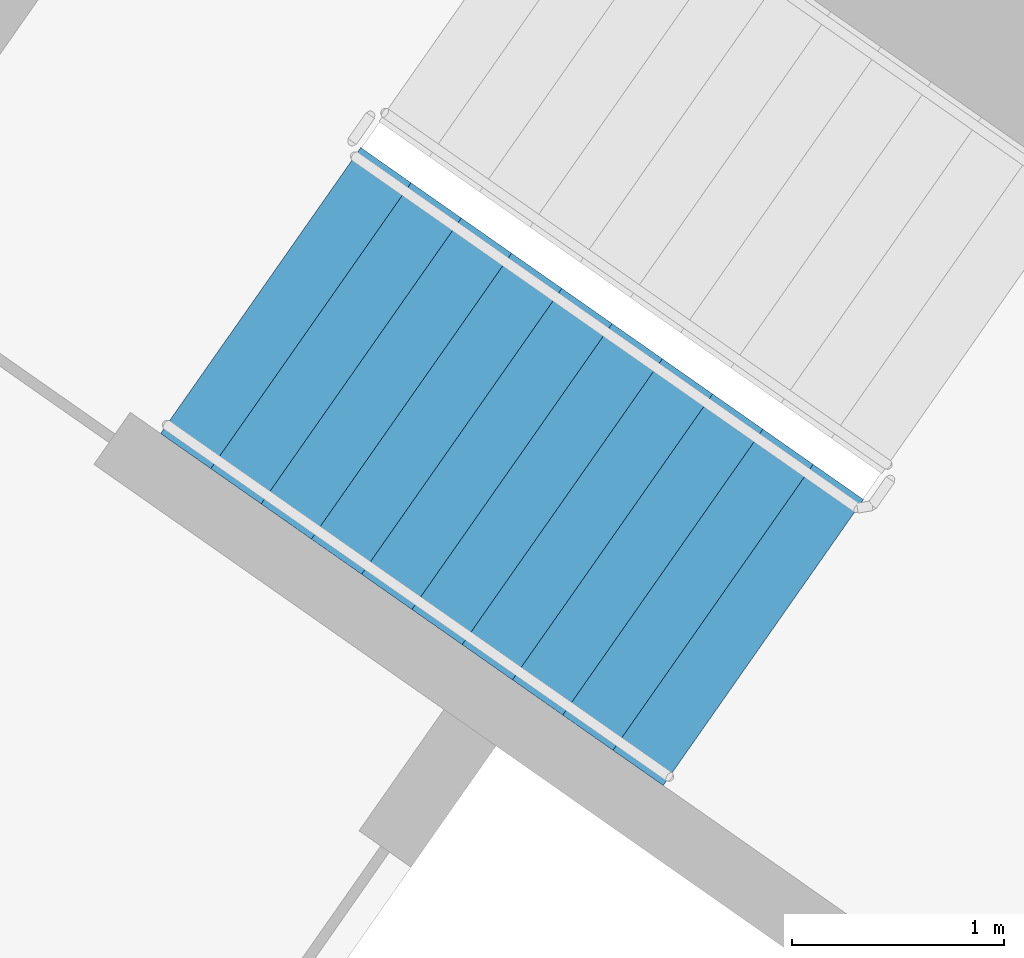
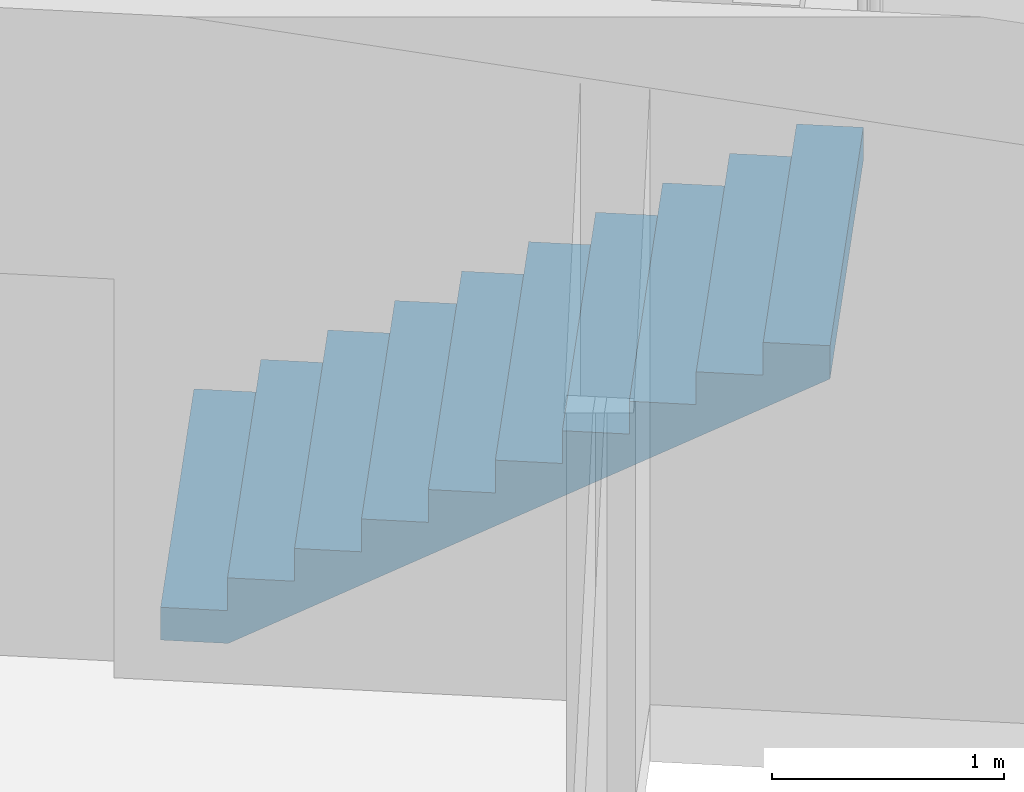
# One storey, part 12 of 28: 1 stair flight, 1 element without a shape of its own.
"""IFC4 building model written with IfcOpenShell, lengths in metres."""

from ifc_helpers import new_model, si_unit, direction, frame, origin, place, context, subcontext, project, spatial, faceted_brep, material, type_object, element, aggregate, save


model = new_model("IFC4")

# Units and contexts
model_context = context("Model", 3, precision=1e-05, world=origin(), true_north=direction((0.0, 1.0)))
body_context = subcontext(model_context, "Body", "Model", "MODEL_VIEW")
ifc_project = project(units=[si_unit("LENGTHUNIT", "METRE"), si_unit("AREAUNIT", "SQUARE_METRE"), si_unit("VOLUMEUNIT", "CUBIC_METRE"), si_unit("PLANEANGLEUNIT", "RADIAN"), si_unit("MASSUNIT", "GRAM", prefix="KILO")], contexts=[model_context])

# Site, building, storey
site_placement = place(None, origin())
site = spatial("IfcSite", under=ifc_project, at=site_placement, CompositionType="ELEMENT")
building_placement = place(site_placement, origin())
building = spatial("IfcBuilding", under=site, at=building_placement, Name="Qamariyya Broadcast Tower", CompositionType="ELEMENT")
storey_placement = place(building_placement, frame((0.0, 0.0, 215.10009765625)))
storey = spatial("IfcBuildingStorey", under=building, at=storey_placement, Name="L51", CompositionType="ELEMENT", Elevation=215.10009765625)

# Stair, stair flight
ifc_material = material(Name="Concrete C50/60", Category="concrete")
stair_type = type_object("IfcStairType", Name="Exit stair 22 risers of 173 mm", PredefinedType="HALF_TURN_STAIR", material=ifc_material)
stair_placement = place(storey_placement, origin())
stair = element("IfcStair", 1, at=stair_placement, inside=storey, type_object=stair_type, Name="L51 Stair W2", PredefinedType="HALF_TURN_STAIR")
stair_flight_type = type_object("IfcStairFlightType", Name="Exit stair flight 11 risers of 173 mm", PredefinedType="STRAIGHT", material=ifc_material)
stair_flight_placement = place(storey_placement, frame((-41.59130859375, -49.15966796875, 0.0), z_axis=(0.0, 0.0, 1.0), x_axis=(0.819152044289, -0.573576436351, 0.0)))
stair_flight = element("IfcStairFlight", 2, at=stair_flight_placement, type_object=stair_flight_type, Name="ST-W2 flight 1", NumberOfRisers=11, NumberOfTreads=10, PredefinedType="STRAIGHT", RiserHeight=0.172727273, TreadLength=0.29, context=body_context, shape_type="Brep", body=[
    faceted_brep([(0.0, 0.824951171875, 0.0), (0.0, 0.824951171875, 0.172607421875), (0.2900390625, 0.824951171875, 0.172607421875), (0.2900390625, 0.824951171875, 0.345458984375), (0.580078125, 0.824951171875, 0.345458984375), (0.580078125, 0.824951171875, 0.51806640625), (0.8701171875, 0.824951171875, 0.51806640625), (0.8701171875, 0.824951171875, 0.69091796875), (1.159912109375, 0.824951171875, 0.69091796875), (1.159912109375, 0.824951171875, 0.863525390625), (1.449951171875, 0.824951171875, 0.863525390625), (1.449951171875, 0.824951171875, 1.036376953125), (1.739990234375, 0.824951171875, 1.036376953125), (1.739990234375, 0.824951171875, 1.208984375), (2.030029296875, 0.824951171875, 1.208984375), (2.030029296875, 0.824951171875, 1.3818359375), (2.320068359375, 0.824951171875, 1.3818359375), (2.320068359375, 0.824951171875, 1.554443359375), (2.610107421875, 0.824951171875, 1.554443359375), (2.610107421875, 0.824951171875, 1.727294921875), (2.89990234375, 0.824951171875, 1.727294921875), (2.89990234375, 0.824951171875, 1.552734375), (0.29296875, 0.824951171875, 0.0), (0.29296875, -0.824951171875, 0.0), (2.89990234375, -0.824951171875, 1.552734375), (2.89990234375, -0.824951171875, 1.727294921875), (2.610107421875, -0.824951171875, 1.727294921875), (2.610107421875, -0.824951171875, 1.554443359375), (2.320068359375, -0.824951171875, 1.554443359375), (2.320068359375, -0.824951171875, 1.3818359375), (2.030029296875, -0.824951171875, 1.3818359375), (2.030029296875, -0.824951171875, 1.208984375), (1.739990234375, -0.824951171875, 1.208984375), (1.739990234375, -0.824951171875, 1.036376953125), (1.449951171875, -0.824951171875, 1.036376953125), (1.449951171875, -0.824951171875, 0.863525390625), (1.159912109375, -0.824951171875, 0.863525390625), (1.159912109375, -0.824951171875, 0.69091796875), (0.8701171875, -0.824951171875, 0.69091796875), (0.8701171875, -0.824951171875, 0.51806640625), (0.580078125, -0.824951171875, 0.51806640625), (0.580078125, -0.824951171875, 0.345458984375), (0.2900390625, -0.824951171875, 0.345458984375), (0.2900390625, -0.824951171875, 0.172607421875), (0.0, -0.824951171875, 0.172607421875), (0.0, -0.824951171875, 0.0), (0.0, 0.10009765625, 0.0), (0.0, 0.086669921875, 0.0), (0.0, 0.0732421875, 0.0), (0.0, 0.06005859375, 0.0), (0.0, 0.046630859375, 0.0), (0.0, 0.033447265625, 0.0), (0.0, 0.02001953125, 0.0), (0.0, 0.006591796875, 0.0), (0.0, -0.006591796875, 0.0), (0.0, -0.02001953125, 0.0), (0.0, -0.033447265625, 0.0), (0.0, -0.046630859375, 0.0), (0.0, -0.06005859375, 0.0), (0.0, -0.0732421875, 0.0), (0.0, -0.086669921875, 0.0), (0.0, -0.10009765625, 0.0), (0.0, -0.10009765625, 0.172607421875), (0.0, -0.086669921875, 0.172607421875), (0.0, -0.0732421875, 0.172607421875), (0.0, -0.06005859375, 0.172607421875), (0.0, -0.046630859375, 0.172607421875), (0.0, -0.033447265625, 0.172607421875), (0.0, -0.02001953125, 0.172607421875), (0.0, -0.006591796875, 0.172607421875), (0.0, 0.006591796875, 0.172607421875), (0.0, 0.02001953125, 0.172607421875), (0.0, 0.033447265625, 0.172607421875), (0.0, 0.046630859375, 0.172607421875), (0.0, 0.06005859375, 0.172607421875), (0.0, 0.0732421875, 0.172607421875), (0.0, 0.086669921875, 0.172607421875), (0.0, 0.10009765625, 0.172607421875), (0.2900390625, -0.10009765625, 0.172607421875), (0.2900390625, -0.086669921875, 0.172607421875), (0.2900390625, -0.0732421875, 0.172607421875), (0.2900390625, -0.06005859375, 0.172607421875), (0.2900390625, -0.046630859375, 0.172607421875), (0.2900390625, -0.033447265625, 0.172607421875), (0.2900390625, -0.02001953125, 0.172607421875), (0.2900390625, -0.006591796875, 0.172607421875), (0.2900390625, 0.006591796875, 0.172607421875), (0.2900390625, 0.02001953125, 0.172607421875), (0.2900390625, 0.033447265625, 0.172607421875), (0.2900390625, 0.046630859375, 0.172607421875), (0.2900390625, 0.06005859375, 0.172607421875), (0.2900390625, 0.0732421875, 0.172607421875), (0.2900390625, 0.086669921875, 0.172607421875), (0.2900390625, 0.10009765625, 0.172607421875), (0.2900390625, -0.10009765625, 0.345458984375), (0.2900390625, -0.086669921875, 0.345458984375), (0.2900390625, -0.0732421875, 0.345458984375), (0.2900390625, -0.06005859375, 0.345458984375), (0.2900390625, -0.046630859375, 0.345458984375), (0.2900390625, -0.033447265625, 0.345458984375), (0.2900390625, -0.02001953125, 0.345458984375), (0.2900390625, -0.006591796875, 0.345458984375), (0.2900390625, 0.006591796875, 0.345458984375), (0.2900390625, 0.02001953125, 0.345458984375), (0.2900390625, 0.033447265625, 0.345458984375), (0.2900390625, 0.046630859375, 0.345458984375), (0.2900390625, 0.06005859375, 0.345458984375), (0.2900390625, 0.0732421875, 0.345458984375), (0.2900390625, 0.086669921875, 0.345458984375), (0.2900390625, 0.10009765625, 0.345458984375), (0.580078125, -0.10009765625, 0.345458984375), (0.580078125, -0.086669921875, 0.345458984375), (0.580078125, -0.0732421875, 0.345458984375), (0.580078125, -0.06005859375, 0.345458984375), (0.580078125, -0.046630859375, 0.345458984375), (0.580078125, -0.033447265625, 0.345458984375), (0.580078125, -0.02001953125, 0.345458984375), (0.580078125, -0.006591796875, 0.345458984375), (0.580078125, 0.006591796875, 0.345458984375), (0.580078125, 0.02001953125, 0.345458984375), (0.580078125, 0.033447265625, 0.345458984375), (0.580078125, 0.046630859375, 0.345458984375), (0.580078125, 0.06005859375, 0.345458984375), (0.580078125, 0.0732421875, 0.345458984375), (0.580078125, 0.086669921875, 0.345458984375), (0.580078125, 0.10009765625, 0.345458984375), (0.580078125, -0.10009765625, 0.51806640625), (0.580078125, -0.086669921875, 0.51806640625), (0.580078125, -0.0732421875, 0.51806640625), (0.580078125, -0.06005859375, 0.51806640625), (0.580078125, -0.046630859375, 0.51806640625), (0.580078125, -0.033447265625, 0.51806640625), (0.580078125, -0.02001953125, 0.51806640625), (0.580078125, -0.006591796875, 0.51806640625), (0.580078125, 0.006591796875, 0.51806640625), (0.580078125, 0.02001953125, 0.51806640625), (0.580078125, 0.033447265625, 0.51806640625), (0.580078125, 0.046630859375, 0.51806640625), (0.580078125, 0.06005859375, 0.51806640625), (0.580078125, 0.0732421875, 0.51806640625), (0.580078125, 0.086669921875, 0.51806640625), (0.580078125, 0.10009765625, 0.51806640625), (0.8701171875, -0.10009765625, 0.51806640625), (0.8701171875, -0.086669921875, 0.51806640625), (0.8701171875, -0.0732421875, 0.51806640625), (0.8701171875, -0.06005859375, 0.51806640625), (0.8701171875, -0.046630859375, 0.51806640625), (0.8701171875, -0.033447265625, 0.51806640625), (0.8701171875, -0.02001953125, 0.51806640625), (0.8701171875, -0.006591796875, 0.51806640625), (0.8701171875, 0.006591796875, 0.51806640625), (0.8701171875, 0.02001953125, 0.51806640625), (0.8701171875, 0.033447265625, 0.51806640625), (0.8701171875, 0.046630859375, 0.51806640625), (0.8701171875, 0.06005859375, 0.51806640625), (0.8701171875, 0.0732421875, 0.51806640625), (0.8701171875, 0.086669921875, 0.51806640625), (0.8701171875, 0.10009765625, 0.51806640625), (0.8701171875, -0.10009765625, 0.69091796875), (0.8701171875, -0.086669921875, 0.69091796875), (0.8701171875, -0.0732421875, 0.69091796875), (0.8701171875, -0.06005859375, 0.69091796875), (0.8701171875, -0.046630859375, 0.69091796875), (0.8701171875, -0.033447265625, 0.69091796875), (0.8701171875, -0.02001953125, 0.69091796875), (0.8701171875, -0.006591796875, 0.69091796875), (0.8701171875, 0.006591796875, 0.69091796875), (0.8701171875, 0.02001953125, 0.69091796875), (0.8701171875, 0.033447265625, 0.69091796875), (0.8701171875, 0.046630859375, 0.69091796875), (0.8701171875, 0.06005859375, 0.69091796875), (0.8701171875, 0.0732421875, 0.69091796875), (0.8701171875, 0.086669921875, 0.69091796875), (0.8701171875, 0.10009765625, 0.69091796875), (1.159912109375, -0.10009765625, 0.69091796875), (1.159912109375, -0.086669921875, 0.69091796875), (1.159912109375, -0.0732421875, 0.69091796875), (1.159912109375, -0.06005859375, 0.69091796875), (1.159912109375, -0.046630859375, 0.69091796875), (1.159912109375, -0.033447265625, 0.69091796875), (1.159912109375, -0.02001953125, 0.69091796875), (1.159912109375, -0.006591796875, 0.69091796875), (1.159912109375, 0.006591796875, 0.69091796875), (1.159912109375, 0.02001953125, 0.69091796875), (1.159912109375, 0.033447265625, 0.69091796875), (1.159912109375, 0.046630859375, 0.69091796875), (1.159912109375, 0.06005859375, 0.69091796875), (1.159912109375, 0.0732421875, 0.69091796875), (1.159912109375, 0.086669921875, 0.69091796875), (1.159912109375, 0.10009765625, 0.69091796875), (1.159912109375, -0.10009765625, 0.863525390625), (1.159912109375, -0.086669921875, 0.863525390625), (1.159912109375, -0.0732421875, 0.863525390625), (1.159912109375, -0.06005859375, 0.863525390625), (1.159912109375, -0.046630859375, 0.863525390625), (1.159912109375, -0.033447265625, 0.863525390625), (1.159912109375, -0.02001953125, 0.863525390625), (1.159912109375, -0.006591796875, 0.863525390625), (1.159912109375, 0.006591796875, 0.863525390625), (1.159912109375, 0.02001953125, 0.863525390625), (1.159912109375, 0.033447265625, 0.863525390625), (1.159912109375, 0.046630859375, 0.863525390625), (1.159912109375, 0.06005859375, 0.863525390625), (1.159912109375, 0.0732421875, 0.863525390625), (1.159912109375, 0.086669921875, 0.863525390625), (1.159912109375, 0.10009765625, 0.863525390625), (1.449951171875, -0.10009765625, 0.863525390625), (1.449951171875, -0.086669921875, 0.863525390625), (1.449951171875, -0.0732421875, 0.863525390625), (1.449951171875, -0.06005859375, 0.863525390625), (1.449951171875, -0.046630859375, 0.863525390625), (1.449951171875, -0.033447265625, 0.863525390625), (1.449951171875, -0.02001953125, 0.863525390625), (1.449951171875, -0.006591796875, 0.863525390625), (1.449951171875, 0.006591796875, 0.863525390625), (1.449951171875, 0.02001953125, 0.863525390625), (1.449951171875, 0.033447265625, 0.863525390625), (1.449951171875, 0.046630859375, 0.863525390625), (1.449951171875, 0.06005859375, 0.863525390625), (1.449951171875, 0.0732421875, 0.863525390625), (1.449951171875, 0.086669921875, 0.863525390625), (1.449951171875, 0.10009765625, 0.863525390625), (1.449951171875, -0.10009765625, 1.036376953125), (1.449951171875, -0.086669921875, 1.036376953125), (1.449951171875, -0.0732421875, 1.036376953125), (1.449951171875, -0.06005859375, 1.036376953125), (1.449951171875, -0.046630859375, 1.036376953125), (1.449951171875, -0.033447265625, 1.036376953125), (1.449951171875, -0.02001953125, 1.036376953125), (1.449951171875, -0.006591796875, 1.036376953125), (1.449951171875, 0.006591796875, 1.036376953125), (1.449951171875, 0.02001953125, 1.036376953125), (1.449951171875, 0.033447265625, 1.036376953125), (1.449951171875, 0.046630859375, 1.036376953125), (1.449951171875, 0.06005859375, 1.036376953125), (1.449951171875, 0.0732421875, 1.036376953125), (1.449951171875, 0.086669921875, 1.036376953125), (1.449951171875, 0.10009765625, 1.036376953125), (1.739990234375, -0.10009765625, 1.036376953125), (1.739990234375, -0.086669921875, 1.036376953125), (1.739990234375, -0.0732421875, 1.036376953125), (1.739990234375, -0.06005859375, 1.036376953125), (1.739990234375, -0.046630859375, 1.036376953125), (1.739990234375, -0.033447265625, 1.036376953125), (1.739990234375, -0.02001953125, 1.036376953125), (1.739990234375, -0.006591796875, 1.036376953125), (1.739990234375, 0.006591796875, 1.036376953125), (1.739990234375, 0.02001953125, 1.036376953125), (1.739990234375, 0.033447265625, 1.036376953125), (1.739990234375, 0.046630859375, 1.036376953125), (1.739990234375, 0.06005859375, 1.036376953125), (1.739990234375, 0.0732421875, 1.036376953125), (1.739990234375, 0.086669921875, 1.036376953125), (1.739990234375, 0.10009765625, 1.036376953125), (1.739990234375, -0.10009765625, 1.208984375), (1.739990234375, -0.086669921875, 1.208984375), (1.739990234375, -0.0732421875, 1.208984375), (1.739990234375, -0.06005859375, 1.208984375), (1.739990234375, -0.046630859375, 1.208984375), (1.739990234375, -0.033447265625, 1.208984375), (1.739990234375, -0.02001953125, 1.208984375), (1.739990234375, -0.006591796875, 1.208984375), (1.739990234375, 0.006591796875, 1.208984375), (1.739990234375, 0.02001953125, 1.208984375), (1.739990234375, 0.033447265625, 1.208984375), (1.739990234375, 0.046630859375, 1.208984375), (1.739990234375, 0.06005859375, 1.208984375), (1.739990234375, 0.0732421875, 1.208984375), (1.739990234375, 0.086669921875, 1.208984375), (1.739990234375, 0.10009765625, 1.208984375), (2.030029296875, -0.10009765625, 1.208984375), (2.030029296875, -0.086669921875, 1.208984375), (2.030029296875, -0.0732421875, 1.208984375), (2.030029296875, -0.06005859375, 1.208984375), (2.030029296875, -0.046630859375, 1.208984375), (2.030029296875, -0.033447265625, 1.208984375), (2.030029296875, -0.02001953125, 1.208984375), (2.030029296875, -0.006591796875, 1.208984375), (2.030029296875, 0.006591796875, 1.208984375), (2.030029296875, 0.02001953125, 1.208984375), (2.030029296875, 0.033447265625, 1.208984375), (2.030029296875, 0.046630859375, 1.208984375), (2.030029296875, 0.06005859375, 1.208984375), (2.030029296875, 0.0732421875, 1.208984375), (2.030029296875, 0.086669921875, 1.208984375), (2.030029296875, 0.10009765625, 1.208984375), (2.030029296875, -0.10009765625, 1.3818359375), (2.030029296875, -0.086669921875, 1.3818359375), (2.030029296875, -0.0732421875, 1.3818359375), (2.030029296875, -0.06005859375, 1.3818359375), (2.030029296875, -0.046630859375, 1.3818359375), (2.030029296875, -0.033447265625, 1.3818359375), (2.030029296875, -0.02001953125, 1.3818359375), (2.030029296875, -0.006591796875, 1.3818359375), (2.030029296875, 0.006591796875, 1.3818359375), (2.030029296875, 0.02001953125, 1.3818359375), (2.030029296875, 0.033447265625, 1.3818359375), (2.030029296875, 0.046630859375, 1.3818359375), (2.030029296875, 0.06005859375, 1.3818359375), (2.030029296875, 0.0732421875, 1.3818359375), (2.030029296875, 0.086669921875, 1.3818359375), (2.030029296875, 0.10009765625, 1.3818359375), (2.320068359375, -0.10009765625, 1.3818359375), (2.320068359375, -0.086669921875, 1.3818359375), (2.320068359375, -0.0732421875, 1.3818359375), (2.320068359375, -0.06005859375, 1.3818359375), (2.320068359375, -0.046630859375, 1.3818359375), (2.320068359375, -0.033447265625, 1.3818359375), (2.320068359375, -0.02001953125, 1.3818359375), (2.320068359375, -0.006591796875, 1.3818359375), (2.320068359375, 0.006591796875, 1.3818359375), (2.320068359375, 0.02001953125, 1.3818359375), (2.320068359375, 0.033447265625, 1.3818359375), (2.320068359375, 0.046630859375, 1.3818359375), (2.320068359375, 0.06005859375, 1.3818359375), (2.320068359375, 0.0732421875, 1.3818359375), (2.320068359375, 0.086669921875, 1.3818359375), (2.320068359375, 0.10009765625, 1.3818359375), (2.320068359375, -0.10009765625, 1.554443359375), (2.320068359375, -0.086669921875, 1.554443359375), (2.320068359375, -0.0732421875, 1.554443359375), (2.320068359375, -0.06005859375, 1.554443359375), (2.320068359375, -0.046630859375, 1.554443359375), (2.320068359375, -0.033447265625, 1.554443359375), (2.320068359375, -0.02001953125, 1.554443359375), (2.320068359375, -0.006591796875, 1.554443359375), (2.320068359375, 0.006591796875, 1.554443359375), (2.320068359375, 0.02001953125, 1.554443359375), (2.320068359375, 0.033447265625, 1.554443359375), (2.320068359375, 0.046630859375, 1.554443359375), (2.320068359375, 0.06005859375, 1.554443359375), (2.320068359375, 0.0732421875, 1.554443359375), (2.320068359375, 0.086669921875, 1.554443359375), (2.320068359375, 0.10009765625, 1.554443359375), (2.610107421875, -0.10009765625, 1.554443359375), (2.610107421875, -0.086669921875, 1.554443359375), (2.610107421875, -0.0732421875, 1.554443359375), (2.610107421875, -0.06005859375, 1.554443359375), (2.610107421875, -0.046630859375, 1.554443359375), (2.610107421875, -0.033447265625, 1.554443359375), (2.610107421875, -0.02001953125, 1.554443359375), (2.610107421875, -0.006591796875, 1.554443359375), (2.610107421875, 0.006591796875, 1.554443359375), (2.610107421875, 0.02001953125, 1.554443359375), (2.610107421875, 0.033447265625, 1.554443359375), (2.610107421875, 0.046630859375, 1.554443359375), (2.610107421875, 0.06005859375, 1.554443359375), (2.610107421875, 0.0732421875, 1.554443359375), (2.610107421875, 0.086669921875, 1.554443359375), (2.610107421875, 0.10009765625, 1.554443359375), (2.610107421875, -0.10009765625, 1.727294921875), (2.610107421875, -0.086669921875, 1.727294921875), (2.610107421875, -0.0732421875, 1.727294921875), (2.610107421875, -0.06005859375, 1.727294921875), (2.610107421875, -0.046630859375, 1.727294921875), (2.610107421875, -0.033447265625, 1.727294921875), (2.610107421875, -0.02001953125, 1.727294921875), (2.610107421875, -0.006591796875, 1.727294921875), (2.610107421875, 0.006591796875, 1.727294921875), (2.610107421875, 0.02001953125, 1.727294921875), (2.610107421875, 0.033447265625, 1.727294921875), (2.610107421875, 0.046630859375, 1.727294921875), (2.610107421875, 0.06005859375, 1.727294921875), (2.610107421875, 0.0732421875, 1.727294921875), (2.610107421875, 0.086669921875, 1.727294921875), (2.610107421875, 0.10009765625, 1.727294921875), (2.89990234375, -0.10009765625, 1.727294921875), (2.89990234375, -0.086669921875, 1.727294921875), (2.89990234375, -0.0732421875, 1.727294921875), (2.89990234375, -0.06005859375, 1.727294921875), (2.89990234375, -0.046630859375, 1.727294921875), (2.89990234375, -0.033447265625, 1.727294921875), (2.89990234375, -0.02001953125, 1.727294921875), (2.89990234375, -0.006591796875, 1.727294921875), (2.89990234375, 0.006591796875, 1.727294921875), (2.89990234375, 0.02001953125, 1.727294921875), (2.89990234375, 0.033447265625, 1.727294921875), (2.89990234375, 0.046630859375, 1.727294921875), (2.89990234375, 0.06005859375, 1.727294921875), (2.89990234375, 0.0732421875, 1.727294921875), (2.89990234375, 0.086669921875, 1.727294921875), (2.89990234375, 0.10009765625, 1.727294921875), (2.89990234375, -0.10009765625, 1.552734375), (2.89990234375, -0.086669921875, 1.552734375), (2.89990234375, -0.0732421875, 1.552734375), (2.89990234375, -0.06005859375, 1.552734375), (2.89990234375, -0.046630859375, 1.552734375), (2.89990234375, -0.033447265625, 1.552734375), (2.89990234375, -0.02001953125, 1.552734375), (2.89990234375, -0.006591796875, 1.552734375), (2.89990234375, 0.006591796875, 1.552734375), (2.89990234375, 0.02001953125, 1.552734375), (2.89990234375, 0.033447265625, 1.552734375), (2.89990234375, 0.046630859375, 1.552734375), (2.89990234375, 0.06005859375, 1.552734375), (2.89990234375, 0.0732421875, 1.552734375), (2.89990234375, 0.086669921875, 1.552734375), (2.89990234375, 0.10009765625, 1.552734375), (0.29296875, -0.10009765625, 0.0), (0.29296875, -0.086669921875, 0.0), (0.29296875, -0.0732421875, 0.0), (0.29296875, -0.06005859375, 0.0), (0.29296875, -0.046630859375, 0.0), (0.29296875, -0.033447265625, 0.0), (0.29296875, -0.02001953125, 0.0), (0.29296875, -0.006591796875, 0.0), (0.29296875, 0.006591796875, 0.0), (0.29296875, 0.02001953125, 0.0), (0.29296875, 0.033447265625, 0.0), (0.29296875, 0.046630859375, 0.0), (0.29296875, 0.06005859375, 0.0), (0.29296875, 0.0732421875, 0.0), (0.29296875, 0.086669921875, 0.0), (0.29296875, 0.10009765625, 0.0)], [[[0, 1, 2, 3, 4, 5, 6, 7, 8, 9, 10, 11, 12, 13, 14, 15, 16, 17, 18, 19, 20, 21, 22]], [[23, 24, 25, 26, 27, 28, 29, 30, 31, 32, 33, 34, 35, 36, 37, 38, 39, 40, 41, 42, 43, 44, 45]], [[0, 46, 47, 48, 49, 50, 51, 52, 53, 54, 55, 56, 57, 58, 59, 60, 61, 45, 44, 62, 63, 64, 65, 66, 67, 68, 69, 70, 71, 72, 73, 74, 75, 76, 77, 1]], [[1, 77, 76, 75, 74, 73, 72, 71, 70, 69, 68, 67, 66, 65, 64, 63, 62, 44, 43, 78, 79, 80, 81, 82, 83, 84, 85, 86, 87, 88, 89, 90, 91, 92, 93, 2]], [[2, 93, 92, 91, 90, 89, 88, 87, 86, 85, 84, 83, 82, 81, 80, 79, 78, 43, 42, 94, 95, 96, 97, 98, 99, 100, 101, 102, 103, 104, 105, 106, 107, 108, 109, 3]], [[3, 109, 108, 107, 106, 105, 104, 103, 102, 101, 100, 99, 98, 97, 96, 95, 94, 42, 41, 110, 111, 112, 113, 114, 115, 116, 117, 118, 119, 120, 121, 122, 123, 124, 125, 4]], [[4, 125, 124, 123, 122, 121, 120, 119, 118, 117, 116, 115, 114, 113, 112, 111, 110, 41, 40, 126, 127, 128, 129, 130, 131, 132, 133, 134, 135, 136, 137, 138, 139, 140, 141, 5]], [[5, 141, 140, 139, 138, 137, 136, 135, 134, 133, 132, 131, 130, 129, 128, 127, 126, 40, 39, 142, 143, 144, 145, 146, 147, 148, 149, 150, 151, 152, 153, 154, 155, 156, 157, 6]], [[6, 157, 156, 155, 154, 153, 152, 151, 150, 149, 148, 147, 146, 145, 144, 143, 142, 39, 38, 158, 159, 160, 161, 162, 163, 164, 165, 166, 167, 168, 169, 170, 171, 172, 173, 7]], [[7, 173, 172, 171, 170, 169, 168, 167, 166, 165, 164, 163, 162, 161, 160, 159, 158, 38, 37, 174, 175, 176, 177, 178, 179, 180, 181, 182, 183, 184, 185, 186, 187, 188, 189, 8]], [[8, 189, 188, 187, 186, 185, 184, 183, 182, 181, 180, 179, 178, 177, 176, 175, 174, 37, 36, 190, 191, 192, 193, 194, 195, 196, 197, 198, 199, 200, 201, 202, 203, 204, 205, 9]], [[9, 205, 204, 203, 202, 201, 200, 199, 198, 197, 196, 195, 194, 193, 192, 191, 190, 36, 35, 206, 207, 208, 209, 210, 211, 212, 213, 214, 215, 216, 217, 218, 219, 220, 221, 10]], [[10, 221, 220, 219, 218, 217, 216, 215, 214, 213, 212, 211, 210, 209, 208, 207, 206, 35, 34, 222, 223, 224, 225, 226, 227, 228, 229, 230, 231, 232, 233, 234, 235, 236, 237, 11]], [[11, 237, 236, 235, 234, 233, 232, 231, 230, 229, 228, 227, 226, 225, 224, 223, 222, 34, 33, 238, 239, 240, 241, 242, 243, 244, 245, 246, 247, 248, 249, 250, 251, 252, 253, 12]], [[12, 253, 252, 251, 250, 249, 248, 247, 246, 245, 244, 243, 242, 241, 240, 239, 238, 33, 32, 254, 255, 256, 257, 258, 259, 260, 261, 262, 263, 264, 265, 266, 267, 268, 269, 13]], [[13, 269, 268, 267, 266, 265, 264, 263, 262, 261, 260, 259, 258, 257, 256, 255, 254, 32, 31, 270, 271, 272, 273, 274, 275, 276, 277, 278, 279, 280, 281, 282, 283, 284, 285, 14]], [[14, 285, 284, 283, 282, 281, 280, 279, 278, 277, 276, 275, 274, 273, 272, 271, 270, 31, 30, 286, 287, 288, 289, 290, 291, 292, 293, 294, 295, 296, 297, 298, 299, 300, 301, 15]], [[15, 301, 300, 299, 298, 297, 296, 295, 294, 293, 292, 291, 290, 289, 288, 287, 286, 30, 29, 302, 303, 304, 305, 306, 307, 308, 309, 310, 311, 312, 313, 314, 315, 316, 317, 16]], [[16, 317, 316, 315, 314, 313, 312, 311, 310, 309, 308, 307, 306, 305, 304, 303, 302, 29, 28, 318, 319, 320, 321, 322, 323, 324, 325, 326, 327, 328, 329, 330, 331, 332, 333, 17]], [[17, 333, 332, 331, 330, 329, 328, 327, 326, 325, 324, 323, 322, 321, 320, 319, 318, 28, 27, 334, 335, 336, 337, 338, 339, 340, 341, 342, 343, 344, 345, 346, 347, 348, 349, 18]], [[18, 349, 348, 347, 346, 345, 344, 343, 342, 341, 340, 339, 338, 337, 336, 335, 334, 27, 26, 350, 351, 352, 353, 354, 355, 356, 357, 358, 359, 360, 361, 362, 363, 364, 365, 19]], [[19, 365, 364, 363, 362, 361, 360, 359, 358, 357, 356, 355, 354, 353, 352, 351, 350, 26, 25, 366, 367, 368, 369, 370, 371, 372, 373, 374, 375, 376, 377, 378, 379, 380, 381, 20]], [[20, 381, 380, 379, 378, 377, 376, 375, 374, 373, 372, 371, 370, 369, 368, 367, 366, 25, 24, 382, 383, 384, 385, 386, 387, 388, 389, 390, 391, 392, 393, 394, 395, 396, 397, 21]], [[21, 397, 396, 395, 394, 393, 392, 391, 390, 389, 388, 387, 386, 385, 384, 383, 382, 24, 23, 398, 399, 400, 401, 402, 403, 404, 405, 406, 407, 408, 409, 410, 411, 412, 413, 22]], [[22, 413, 412, 411, 410, 409, 408, 407, 406, 405, 404, 403, 402, 401, 400, 399, 398, 23, 45, 61, 60, 59, 58, 57, 56, 55, 54, 53, 52, 51, 50, 49, 48, 47, 46, 0]]]),
])
aggregate(stair, [stair_flight])

save(model, "model.ifc")
